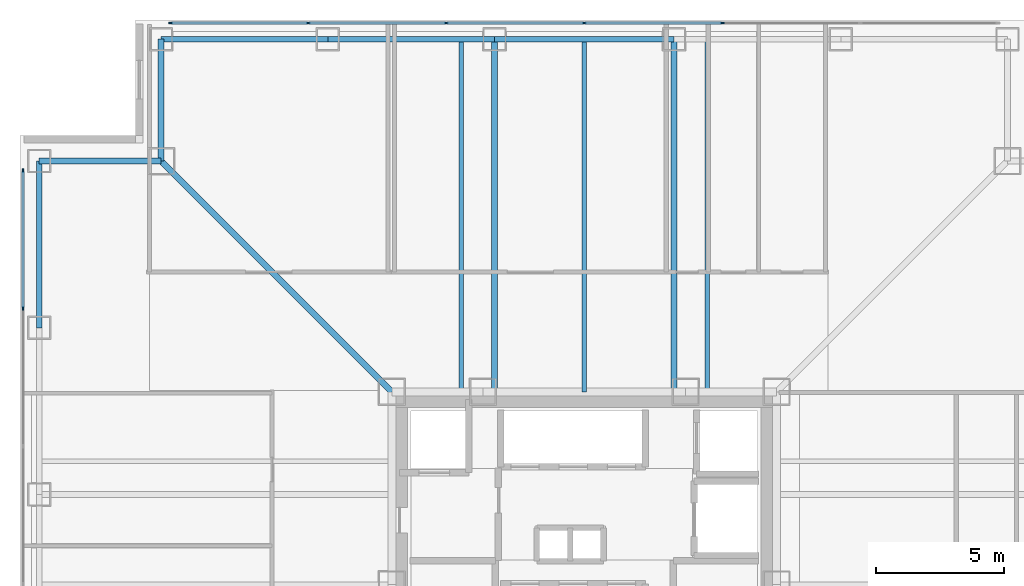
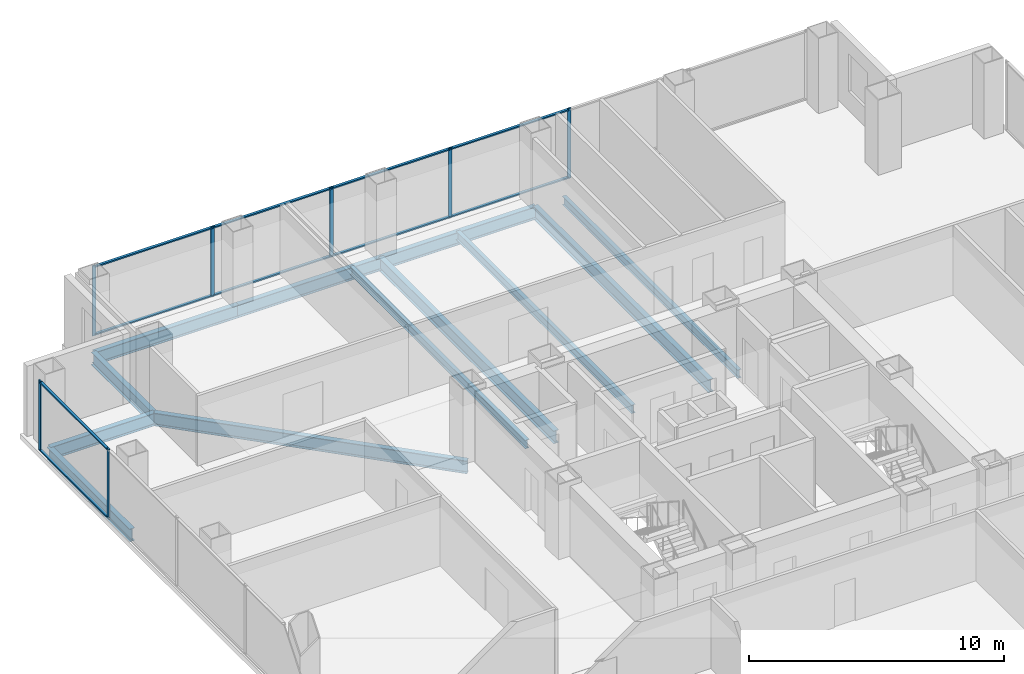
# One storey, part 7 of 14: 17 members, 12 beams, 2 elements without a shape of their own.
"""IFC4 building model written with IfcOpenShell, lengths in metres."""

from ifc_helpers import new_model, si_unit, direction, frame, origin, origin_2d, place, context, subcontext, project, spatial, rectangle, i_section, extrude, material, layer, layer_set, material_profile, profile_set, type_object, element, aggregate, save


model = new_model("IFC4")

# Units and contexts
model_context = context("Model", 3, precision=1e-05, world=origin(), true_north=direction((0.0, 1.0)))
body_context = subcontext(model_context, "Body", "Model", "MODEL_VIEW")
ifc_project = project(units=[si_unit("LENGTHUNIT", "METRE"), si_unit("AREAUNIT", "SQUARE_METRE"), si_unit("VOLUMEUNIT", "CUBIC_METRE"), si_unit("PLANEANGLEUNIT", "RADIAN"), si_unit("MASSUNIT", "GRAM", prefix="KILO")], contexts=[model_context])

# Site, building, storey
site_placement = place(None, origin())
site = spatial("IfcSite", under=ifc_project, at=site_placement, CompositionType="ELEMENT")
building_placement = place(site_placement, origin())
building = spatial("IfcBuilding", under=site, at=building_placement, Name="Trevonay Congress Spire", CompositionType="ELEMENT")
storey_placement = place(building_placement, frame((0.0, 0.0, 119.199951171875)))
storey = spatial("IfcBuildingStorey", under=building, at=storey_placement, Name="L30", CompositionType="ELEMENT", Elevation=119.199951171875)

# Beams
ifc_material_1 = material(Name="Steel ASTM A572 Grade 50", Category="steel")
ifc_material_profile_1 = material_profile(ifc_material_1, i_section(OverallWidth=0.22998046875, OverallDepth=0.616943359375, WebThickness=0.01318359375, FlangeThickness=0.022216796875, FilletRadius=0.01611328125, at=origin_2d()), Name="W610x140")
ifc_profile_set_1 = profile_set([ifc_material_profile_1], Name="Steel ASTM A572 Grade 50")
beam_type_1 = type_object("IfcBeamType", Name="BM-GIRD-W610X140", PredefinedType="BEAM", material=ifc_profile_set_1)
beam_1_placement = place(storey_placement, frame((-7.5, 7.5, -0.54833984375), z_axis=(-0.707106781187, 0.707106781187, 0.0), x_axis=(-0.707106781187, -0.707106781187, 0.0)))
element("IfcBeam", 1, at=beam_1_placement, inside=storey, type_object=beam_type_1, Name="L30 structural beam BM-L30-CDNW", PredefinedType="BEAM", context=body_context, shape_type="SweptSolid", body=[
    extrude(i_section(OverallWidth=0.22998046875, OverallDepth=0.616943359375, WebThickness=0.01318359375, FlangeThickness=0.022216796875, FilletRadius=0.01611328125, at=origin_2d()), origin(), (0.0, 0.0, 1.0), 12.72802734375),
])
for number, where, z_axis, x_axis, name in (
    (2, (-3.5, 7.5, -0.54833984375), (0.0, 1.0, 0.0), (-1.0, 0.0, 0.0), "L30 structural beam BM-L30-GN-M"),
    (3, (3.5, 7.5, -0.54833984375), (0.0, 1.0, 0.0), (-1.0, 0.0, 0.0), "L30 structural beam BM-L30-GN-P"),
):
    element("IfcBeam", number, at=place(storey_placement, frame(where, z_axis=z_axis, x_axis=x_axis)), inside=storey, type_object=beam_type_1, Name=name, PredefinedType="BEAM", context=body_context, shape_type="SweptSolid", body=[
        extrude(i_section(OverallWidth=0.22998046875, OverallDepth=0.616943359375, WebThickness=0.01318359375, FlangeThickness=0.022216796875, FilletRadius=0.01611328125, at=origin_2d()), origin(), (0.0, 0.0, 1.0), 13.75),
    ])
ifc_material_profile_2 = material_profile(ifc_material_1, i_section(OverallWidth=0.22802734375, OverallDepth=0.60791015625, WebThickness=0.01123046875, FlangeThickness=0.017333984375, FilletRadius=0.01611328125, at=origin_2d()), Name="W610x113")
ifc_profile_set_2 = profile_set([ifc_material_profile_2], Name="Steel ASTM A572 Grade 50")
beam_type_2 = type_object("IfcBeamType", Name="BM-RING-W610X113", PredefinedType="BEAM", material=ifc_profile_set_2)
for number, where, z_axis, x_axis, name in (
    (4, (-16.5, 21.25, -0.5439453125), (1.0, 0.0, 0.0), (0.0, 1.0, 0.0), "L30 structural beam BM-L30-PN1"),
    (5, (-10.0, 21.25, -0.5439453125), (1.0, 0.0, 0.0), (0.0, 1.0, 0.0), "L30 structural beam BM-L30-PN2"),
):
    element("IfcBeam", number, at=place(storey_placement, frame(where, z_axis=z_axis, x_axis=x_axis)), inside=storey, type_object=beam_type_2, Name=name, PredefinedType="BEAM", context=body_context, shape_type="SweptSolid", body=[
        extrude(i_section(OverallWidth=0.22802734375, OverallDepth=0.60791015625, WebThickness=0.01123046875, FlangeThickness=0.017333984375, FilletRadius=0.01611328125, at=origin_2d()), origin(), (0.0, 0.0, 1.0), 6.5),
    ])
beam_2_placement = place(storey_placement, frame((-3.5, 21.25, -0.5439453125), z_axis=(1.0, 0.0, 0.0), x_axis=(0.0, 1.0, 0.0)))
element("IfcBeam", 6, at=beam_2_placement, inside=storey, type_object=beam_type_2, Name="L30 structural beam BM-L30-PN3", PredefinedType="BEAM", context=body_context, shape_type="SweptSolid", body=[
    extrude(i_section(OverallWidth=0.22802734375, OverallDepth=0.60791015625, WebThickness=0.01123046875, FlangeThickness=0.017333984375, FilletRadius=0.01611328125, at=origin_2d()), origin(), (0.0, 0.0, 1.0), 7.0),
])
beam_3_placement = place(storey_placement, frame((-21.25, 10.0, -0.5439453125), z_axis=(0.0, 1.0, 0.0), x_axis=(-1.0, 0.0, 0.0)))
element("IfcBeam", 7, at=beam_3_placement, inside=storey, type_object=beam_type_2, Name="L30 structural beam BM-L30-PW5", PredefinedType="BEAM", context=body_context, shape_type="SweptSolid", body=[
    extrude(i_section(OverallWidth=0.22802734375, OverallDepth=0.60791015625, WebThickness=0.01123046875, FlangeThickness=0.017333984375, FilletRadius=0.01611328125, at=origin_2d()), origin(), (0.0, 0.0, 1.0), 6.5),
])
for number, where, z_axis, x_axis, name in (
    (8, (-16.5, 21.25, -0.5439453125), (0.0, -1.0, 0.0), (1.0, 0.0, 0.0), "L30 structural beam BM-L30-N1NW"),
    (9, (-21.25, 16.5, -0.5439453125), (1.0, 0.0, 0.0), (0.0, 1.0, 0.0), "L30 structural beam BM-L30-N2NW"),
):
    element("IfcBeam", number, at=place(storey_placement, frame(where, z_axis=z_axis, x_axis=x_axis)), inside=storey, type_object=beam_type_2, Name=name, PredefinedType="BEAM", context=body_context, shape_type="SweptSolid", body=[
        extrude(i_section(OverallWidth=0.22802734375, OverallDepth=0.60791015625, WebThickness=0.01123046875, FlangeThickness=0.017333984375, FilletRadius=0.01611328125, at=origin_2d()), origin(), (0.0, 0.0, 1.0), 4.75),
    ])

# Curtain wall, members
ifc_material_2 = material(Name="Pale Anodised Aluminium EN AW-6063-T6", Category="aluminium")
ifc_layer = layer(ifc_material_2, 0.175048828125, Name="Pale Anodised Aluminium EN AW-6063-T6")
ifc_layer_set = layer_set([ifc_layer], Name="Pale Anodised Aluminium EN AW-6063-T6")
curtain_wall_type = type_object("IfcCurtainWallType", Name="CW-SYS03-CONGRESS-PALE-METAL", PredefinedType="NOTDEFINED", material=ifc_layer_set)
curtain_wall_1_placement = place(storey_placement, origin())
curtain_wall_1 = element("IfcCurtainWall", 10, at=curtain_wall_1_placement, inside=storey, type_object=curtain_wall_type, Name="L30 N unitised curtain wall", PredefinedType="NOTDEFINED")
ifc_material_profile_3 = material_profile(ifc_material_2, rectangle(XDim=0.06005859375, YDim=0.159912109375, at=origin_2d()), Name="CW-MULLION-160-ALUMINIUM")
ifc_profile_set_3 = profile_set([ifc_material_profile_3], Name="Pale Anodised Aluminium EN AW-6063-T6")
member_type_1 = type_object("IfcMemberType", Name="CW-MULLION-160-ALUMINIUM", PredefinedType="MULLION", material=ifc_profile_set_3)
member_1_placement = place(storey_placement, frame((-16.1201171875, 21.8798828125, 0.0), z_axis=(0.0, 0.0, 1.0), x_axis=(0.0, 1.0, 0.0)))
member_1 = element("IfcMember", 11, at=member_1_placement, type_object=member_type_1, Name="CW03 mullion 1", PredefinedType="MULLION", context=body_context, shape_type="SweptSolid", body=[
    extrude(rectangle(XDim=0.06005859375, YDim=0.159912109375, at=origin_2d()), origin(), (0.0, 0.0, 1.0), 3.360107421875),
])
member_2_placement = place(storey_placement, frame((-10.7666015625, 21.8798828125, 0.0), z_axis=(0.0, 0.0, 1.0), x_axis=(0.0, 1.0, 0.0)))
member_2 = element("IfcMember", 12, at=member_2_placement, type_object=member_type_1, Name="CW03 mullion 2", PredefinedType="MULLION", context=body_context, shape_type="SweptSolid", body=[
    extrude(rectangle(XDim=0.06005859375, YDim=0.159912109375, at=origin_2d()), origin(), (0.0, 0.0, 1.0), 3.360107421875),
])
member_3_placement = place(storey_placement, frame((-5.38330078125, 21.8798828125, 0.0), z_axis=(0.0, 0.0, 1.0), x_axis=(0.0, 1.0, 0.0)))
member_3 = element("IfcMember", 13, at=member_3_placement, type_object=member_type_1, Name="CW03 mullion 3", PredefinedType="MULLION", context=body_context, shape_type="SweptSolid", body=[
    extrude(rectangle(XDim=0.06005859375, YDim=0.159912109375, at=origin_2d()), origin(), (0.0, 0.0, 1.0), 3.360107421875),
])
member_4_placement = place(storey_placement, frame((0.0, 21.8798828125, 0.0), z_axis=(0.0, 0.0, 1.0), x_axis=(0.0, 1.0, 0.0)))
member_4 = element("IfcMember", 14, at=member_4_placement, type_object=member_type_1, Name="CW03 mullion 4", PredefinedType="MULLION", context=body_context, shape_type="SweptSolid", body=[
    extrude(rectangle(XDim=0.06005859375, YDim=0.159912109375, at=origin_2d()), origin(), (0.0, 0.0, 1.0), 3.360107421875),
])
member_5_placement = place(storey_placement, frame((5.38330078125, 21.8798828125, 0.0), z_axis=(0.0, 0.0, 1.0), x_axis=(0.0, 1.0, 0.0)))
member_5 = element("IfcMember", 15, at=member_5_placement, type_object=member_type_1, Name="CW03 mullion 5", PredefinedType="MULLION", context=body_context, shape_type="SweptSolid", body=[
    extrude(rectangle(XDim=0.06005859375, YDim=0.159912109375, at=origin_2d()), origin(), (0.0, 0.0, 1.0), 3.360107421875),
])

curtain_wall_2_placement = place(storey_placement, origin())
curtain_wall_2 = element("IfcCurtainWall", 16, at=curtain_wall_2_placement, inside=storey, type_object=curtain_wall_type, Name="L30 W unitised curtain wall", PredefinedType="NOTDEFINED")
member_6_placement = place(storey_placement, frame((-21.8798828125, 10.7666015625, 0.0), z_axis=(0.0, 0.0, 1.0), x_axis=(-1.0, 0.0, 0.0)))
member_6 = element("IfcMember", 17, at=member_6_placement, type_object=member_type_1, Name="CW03 mullion 6", PredefinedType="MULLION", context=body_context, shape_type="SweptSolid", body=[
    extrude(rectangle(XDim=0.06005859375, YDim=0.159912109375, at=origin_2d()), origin(), (0.0, 0.0, 1.0), 3.360107421875),
])
member_7_placement = place(storey_placement, frame((-21.8798828125, 16.1201171875, 0.0), z_axis=(0.0, 0.0, 1.0), x_axis=(-1.0, 0.0, 0.0)))
member_7 = element("IfcMember", 18, at=member_7_placement, type_object=member_type_1, Name="CW03 mullion 7", PredefinedType="MULLION", context=body_context, shape_type="SweptSolid", body=[
    extrude(rectangle(XDim=0.06005859375, YDim=0.159912109375, at=origin_2d()), origin(), (0.0, 0.0, 1.0), 3.360107421875),
])

# Member
ifc_material_profile_4 = material_profile(ifc_material_2, rectangle(XDim=0.1201171875, YDim=0.06005859375, at=origin_2d()), Name="CW-TRANSOM-120-ALUMINIUM")
ifc_profile_set_4 = profile_set([ifc_material_profile_4], Name="Pale Anodised Aluminium EN AW-6063-T6")
member_type_2 = type_object("IfcMemberType", Name="CW-TRANSOM-120-ALUMINIUM", PredefinedType="USERDEFINED", material=ifc_profile_set_4)
member_8_placement = place(storey_placement, frame((-16.090087890625, 21.8798828125, 0.06005859375), z_axis=(1.0, 0.0, 0.0), x_axis=(0.0, 1.0, 0.0)))
member_8 = element("IfcMember", 19, at=member_8_placement, type_object=member_type_2, Name="CW03 transom 1.1", ObjectType="TRANSOM", PredefinedType="USERDEFINED", context=body_context, shape_type="SweptSolid", body=[
    extrude(rectangle(XDim=0.1201171875, YDim=0.06005859375, at=origin_2d()), origin(), (0.0, 0.0, 1.0), 5.29345703125),
])

member_9_placement = place(storey_placement, frame((-16.090087890625, 21.8798828125, 3.300048828125), z_axis=(1.0, 0.0, 0.0), x_axis=(0.0, 1.0, 0.0)))
member_9 = element("IfcMember", 20, at=member_9_placement, type_object=member_type_2, Name="CW03 transom 1.2", ObjectType="TRANSOM", PredefinedType="USERDEFINED", context=body_context, shape_type="SweptSolid", body=[
    extrude(rectangle(XDim=0.1201171875, YDim=0.06005859375, at=origin_2d()), origin(), (0.0, 0.0, 1.0), 5.29345703125),
])

member_10_placement = place(storey_placement, frame((-10.736572265625, 21.8798828125, 0.06005859375), z_axis=(1.0, 0.0, 0.0), x_axis=(0.0, 1.0, 0.0)))
member_10 = element("IfcMember", 21, at=member_10_placement, type_object=member_type_2, Name="CW03 transom 2.1", ObjectType="TRANSOM", PredefinedType="USERDEFINED", context=body_context, shape_type="SweptSolid", body=[
    extrude(rectangle(XDim=0.1201171875, YDim=0.06005859375, at=origin_2d()), origin(), (0.0, 0.0, 1.0), 5.3232421875),
])

member_11_placement = place(storey_placement, frame((-10.736572265625, 21.8798828125, 3.300048828125), z_axis=(1.0, 0.0, 0.0), x_axis=(0.0, 1.0, 0.0)))
member_11 = element("IfcMember", 22, at=member_11_placement, type_object=member_type_2, Name="CW03 transom 2.2", ObjectType="TRANSOM", PredefinedType="USERDEFINED", context=body_context, shape_type="SweptSolid", body=[
    extrude(rectangle(XDim=0.1201171875, YDim=0.06005859375, at=origin_2d()), origin(), (0.0, 0.0, 1.0), 5.3232421875),
])

member_12_placement = place(storey_placement, frame((-5.353271484375, 21.8798828125, 0.06005859375), z_axis=(1.0, 0.0, 0.0), x_axis=(0.0, 1.0, 0.0)))
member_12 = element("IfcMember", 23, at=member_12_placement, type_object=member_type_2, Name="CW03 transom 3.1", ObjectType="TRANSOM", PredefinedType="USERDEFINED", context=body_context, shape_type="SweptSolid", body=[
    extrude(rectangle(XDim=0.1201171875, YDim=0.06005859375, at=origin_2d()), origin(), (0.0, 0.0, 1.0), 5.3232421875),
])

member_13_placement = place(storey_placement, frame((-5.353271484375, 21.8798828125, 3.300048828125), z_axis=(1.0, 0.0, 0.0), x_axis=(0.0, 1.0, 0.0)))
member_13 = element("IfcMember", 24, at=member_13_placement, type_object=member_type_2, Name="CW03 transom 3.2", ObjectType="TRANSOM", PredefinedType="USERDEFINED", context=body_context, shape_type="SweptSolid", body=[
    extrude(rectangle(XDim=0.1201171875, YDim=0.06005859375, at=origin_2d()), origin(), (0.0, 0.0, 1.0), 5.3232421875),
])

member_14_placement = place(storey_placement, frame((0.030029296875, 21.8798828125, 0.06005859375), z_axis=(1.0, 0.0, 0.0), x_axis=(0.0, 1.0, 0.0)))
member_14 = element("IfcMember", 25, at=member_14_placement, type_object=member_type_2, Name="CW03 transom 4.1", ObjectType="TRANSOM", PredefinedType="USERDEFINED", context=body_context, shape_type="SweptSolid", body=[
    extrude(rectangle(XDim=0.1201171875, YDim=0.06005859375, at=origin_2d()), origin(), (0.0, 0.0, 1.0), 5.3232421875),
])

member_15_placement = place(storey_placement, frame((0.030029296875, 21.8798828125, 3.300048828125), z_axis=(1.0, 0.0, 0.0), x_axis=(0.0, 1.0, 0.0)))
member_15 = element("IfcMember", 26, at=member_15_placement, type_object=member_type_2, Name="CW03 transom 4.2", ObjectType="TRANSOM", PredefinedType="USERDEFINED", context=body_context, shape_type="SweptSolid", body=[
    extrude(rectangle(XDim=0.1201171875, YDim=0.06005859375, at=origin_2d()), origin(), (0.0, 0.0, 1.0), 5.3232421875),
])

aggregate(curtain_wall_1, [member_1, member_2, member_3, member_4, member_5, member_8, member_9, member_10, member_11, member_12, member_13, member_14, member_15])

member_16_placement = place(storey_placement, frame((-21.8798828125, 10.796630859375, 0.06005859375), z_axis=(0.0, 1.0, 0.0), x_axis=(-1.0, 0.0, 0.0)))
member_16 = element("IfcMember", 27, at=member_16_placement, type_object=member_type_2, Name="CW03 transom 6.1", ObjectType="TRANSOM", PredefinedType="USERDEFINED", context=body_context, shape_type="SweptSolid", body=[
    extrude(rectangle(XDim=0.1201171875, YDim=0.06005859375, at=origin_2d()), origin(), (0.0, 0.0, 1.0), 5.29345703125),
])

member_17_placement = place(storey_placement, frame((-21.8798828125, 10.796630859375, 3.300048828125), z_axis=(0.0, 1.0, 0.0), x_axis=(-1.0, 0.0, 0.0)))
member_17 = element("IfcMember", 28, at=member_17_placement, type_object=member_type_2, Name="CW03 transom 6.2", ObjectType="TRANSOM", PredefinedType="USERDEFINED", context=body_context, shape_type="SweptSolid", body=[
    extrude(rectangle(XDim=0.1201171875, YDim=0.06005859375, at=origin_2d()), origin(), (0.0, 0.0, 1.0), 5.29345703125),
])

aggregate(curtain_wall_2, [member_6, member_7, member_16, member_17])

# Beams
ifc_material_profile_5 = material_profile(ifc_material_1, i_section(OverallWidth=0.177978515625, OverallDepth=0.406982421875, WebThickness=0.0078125, FlangeThickness=0.0126953125, FilletRadius=0.012939453125, at=origin_2d()), Name="W410x60")
ifc_profile_set_5 = profile_set([ifc_material_profile_5], Name="Steel ASTM A572 Grade 50")
beam_type_3 = type_object("IfcBeamType", Name="JS-COMP-W410X60", PredefinedType="JOIST", material=ifc_profile_set_5)
for number, where, z_axis, x_axis, name in (
    (29, (-4.800048828125, 7.5, -0.443359375), (0.0, 1.0, 0.0), (-1.0, 0.0, 0.0), "L30 structural beam JS-L30-NS-N1"),
    (30, (0.0, 7.5, -0.443359375), (0.0, 1.0, 0.0), (-1.0, 0.0, 0.0), "L30 structural beam JS-L30-NS-N2"),
    (31, (4.800048828125, 7.5, -0.443359375), (0.0, 1.0, 0.0), (-1.0, 0.0, 0.0), "L30 structural beam JS-L30-NS-N3"),
):
    element("IfcBeam", number, at=place(storey_placement, frame(where, z_axis=z_axis, x_axis=x_axis)), inside=storey, type_object=beam_type_3, Name=name, PredefinedType="JOIST", context=body_context, shape_type="SweptSolid", body=[
        extrude(i_section(OverallWidth=0.177978515625, OverallDepth=0.406982421875, WebThickness=0.0078125, FlangeThickness=0.0126953125, FilletRadius=0.012939453125, at=origin_2d()), origin(), (0.0, 0.0, 1.0), 13.75),
    ])

save(model, "model.ifc")
